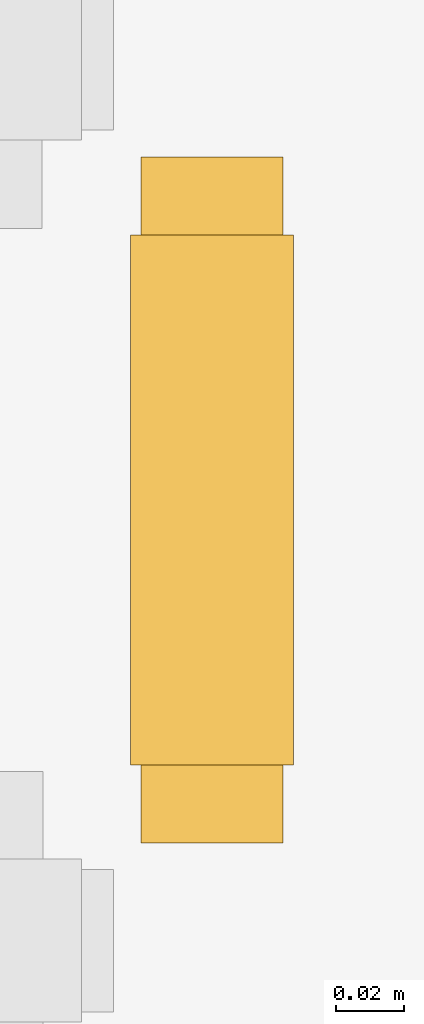
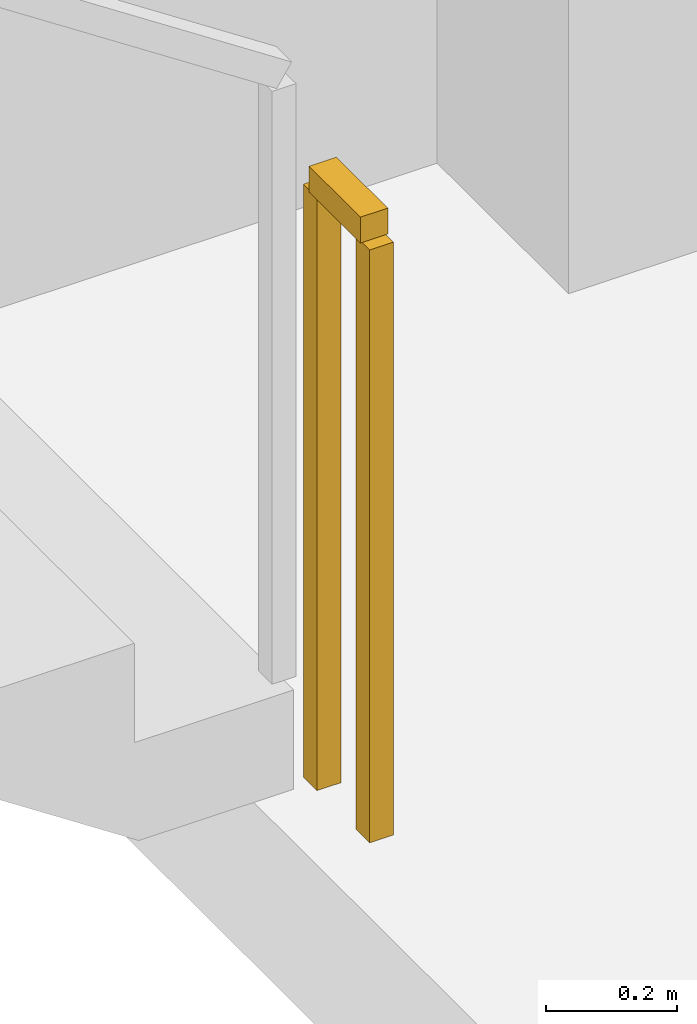
# One storey, part 13 of 16: 1 railing.
"""IFC4 building model written with IfcOpenShell, lengths in metres."""

from ifc_helpers import new_model, si_unit, direction, frame, origin, origin_2d, place, context, subcontext, project, spatial, rectangle, extrude, material, type_object, element, save


model = new_model("IFC4")

# Units and contexts
model_context = context("Model", 3, precision=1e-05, world=origin(), true_north=direction((0.0, 1.0)))
body_context = subcontext(model_context, "Body", "Model", "MODEL_VIEW")
ifc_project = project(units=[si_unit("LENGTHUNIT", "METRE"), si_unit("AREAUNIT", "SQUARE_METRE"), si_unit("VOLUMEUNIT", "CUBIC_METRE"), si_unit("PLANEANGLEUNIT", "RADIAN"), si_unit("MASSUNIT", "GRAM", prefix="KILO")], contexts=[model_context])

# Site, building, storey
site_placement = place(None, origin())
site = spatial("IfcSite", under=ifc_project, at=site_placement, CompositionType="ELEMENT")
building_placement = place(site_placement, origin())
building = spatial("IfcBuilding", under=site, at=building_placement, Name="Zarnavel Station Tower", CompositionType="ELEMENT")
storey_placement = place(building_placement, frame((0.0, 0.0, 19.39990234375)))
storey = spatial("IfcBuildingStorey", under=building, at=storey_placement, Name="L05", CompositionType="ELEMENT", Elevation=19.39990234375)

# Railing
ifc_material = material(Name="Painted Steel S355J2 Balustrade", Category="steel")
railing_type = type_object("IfcRailingType", Name="GR_INT_1150", PredefinedType="GUARDRAIL", material=ifc_material)
railing_placement = place(storey_placement, frame((19.530029296875, 35.320068359375, 0.0)))
element("IfcRailing", 1, at=railing_placement, inside=storey, type_object=railing_type, Name="L05 ST1 stair guard 4", PredefinedType="GUARDRAIL", context=body_context, shape_type="SweptSolid", body=[
    extrude(rectangle(XDim=0.048095703125, YDim=0.048095703125, at=origin_2d()), frame((0.0, -0.001953125, 1.1259765625), z_axis=(0.0, -1.0, 0.0), x_axis=(1.0, 0.0, 0.0)), (0.0, 0.0, 1.0), 0.15625),
    extrude(rectangle(XDim=0.0419921875, YDim=0.0419921875, at=origin_2d()), origin(), (0.0, 0.0, 1.0), 1.101806640625),
    extrude(rectangle(XDim=0.0419921875, YDim=0.0419921875, at=origin_2d()), frame((0.0, -0.16015625, 0.0)), (0.0, 0.0, 1.0), 1.101806640625),
])

save(model, "model.ifc")
